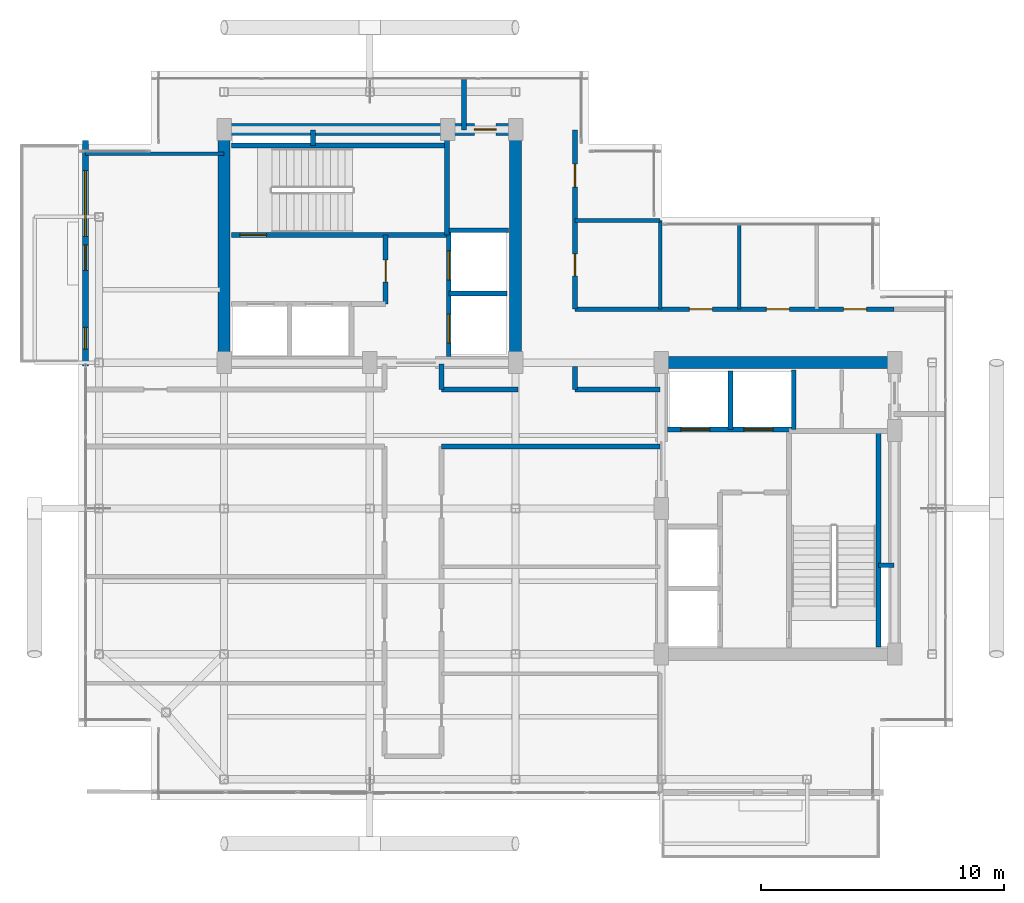
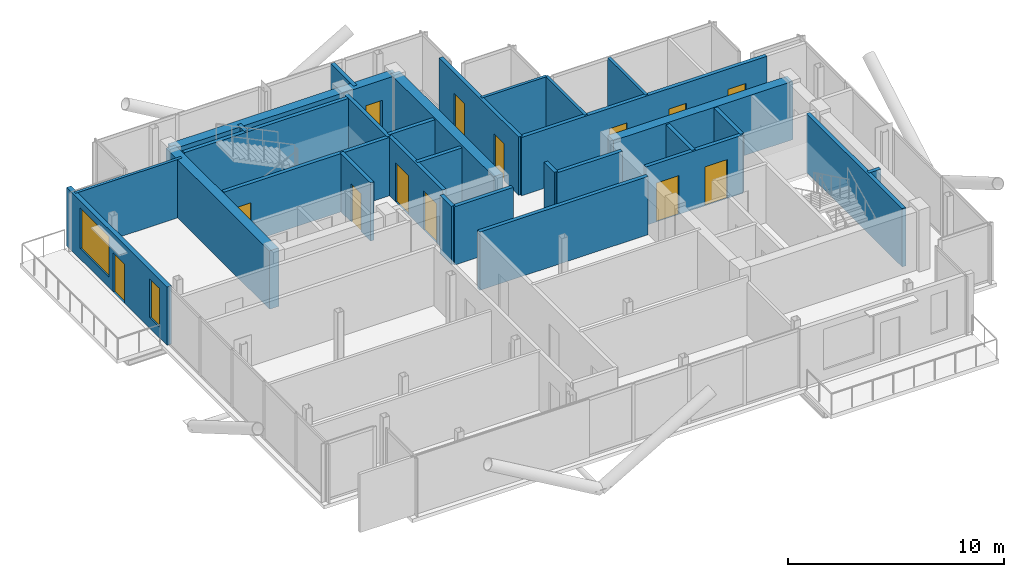
# One storey, part 15 of 18: 30 walls, 13 doors, 2 windows, 15 openings.
"""IFC4 building model written with IfcOpenShell, lengths in metres."""

from ifc_helpers import new_model, si_unit, direction, frame, frame_2d, origin, place, context, subcontext, project, spatial, rectangle, extrude, material, layer, layer_set, type_object, element, fill, save


model = new_model("IFC4")

# Units and contexts
model_context = context("Model", 3, precision=1e-05, world=origin(), true_north=direction((0.0, 1.0)))
body_context = subcontext(model_context, "Body", "Model", "MODEL_VIEW")
ifc_project = project(units=[si_unit("LENGTHUNIT", "METRE"), si_unit("AREAUNIT", "SQUARE_METRE"), si_unit("VOLUMEUNIT", "CUBIC_METRE"), si_unit("PLANEANGLEUNIT", "RADIAN"), si_unit("MASSUNIT", "GRAM", prefix="KILO"), si_unit("THERMODYNAMICTEMPERATUREUNIT", "KELVIN"), si_unit("POWERUNIT", "WATT")], contexts=[model_context])

# Site, building, storey
site_placement = place(None, origin())
site = spatial("IfcSite", under=ifc_project, at=site_placement, CompositionType="ELEMENT")
building_placement = place(site_placement, origin())
building = spatial("IfcBuilding", under=site, at=building_placement, Name="Svarakhadi Broadcast Tower", CompositionType="ELEMENT")
storey_placement = place(building_placement, frame((0.0, 0.0, 274.699951171875)))
storey = spatial("IfcBuildingStorey", under=building, at=storey_placement, Name="L69", CompositionType="ELEMENT", Elevation=274.699951171875)

# Walls
ifc_material_1 = material(Name="Double-Stud Acoustic Studio Partition STC-62", Category="gypsum")
ifc_layer_1 = layer(ifc_material_1, 0.199951171875)
ifc_layer_set_1 = layer_set([ifc_layer_1], Name="Double-Stud Acoustic Studio Partition STC-62")
wall_type_1 = type_object("IfcWallType", Name="Wall_Acoust_200", PredefinedType="PARTITIONING", material=ifc_layer_set_1)
wall_1_placement = place(storey_placement, frame((14.949951171875, 17.949951171875, 0.0), z_axis=(0.0, 0.0, 1.0), x_axis=(0.0, -1.0, 0.0)))
element("IfcWall", 1, at=wall_1_placement, inside=storey, type_object=wall_type_1, Name="L69 Upper Tower Concourse Wall", PredefinedType="PARTITIONING", context=body_context, shape_type="SweptSolid", body=[
    extrude(rectangle(XDim=1.050048828125, YDim=0.199951171875, at=frame_2d((0.52490234375, 0.0))), origin(), (0.0, 0.0, 1.0), 3.300048828125),
])
wall_2_placement = place(storey_placement, frame((14.949951171875, 16.89990234375, 0.0), z_axis=(0.0, 0.0, 1.0), x_axis=(1.0, 0.0, 0.0)))
element("IfcWall", 2, at=wall_2_placement, inside=storey, type_object=wall_type_1, Name="L69 Upper Tower Concourse Wall", PredefinedType="PARTITIONING", context=body_context, shape_type="SweptSolid", body=[
    extrude(rectangle(XDim=3.150146484375, YDim=0.199951171875, at=frame_2d((1.5751953125, 0.0))), origin(), (0.0, 0.0, 1.0), 3.300048828125),
])
wall_3_placement = place(storey_placement, frame((15.8798828125, 27.580078125, 0.0), z_axis=(0.0, 0.0, 1.0), x_axis=(0.0, 1.0, 0.0)))
element("IfcWall", 3, at=wall_3_placement, inside=storey, type_object=wall_type_1, Name="L69 Upper Tower Concourse Wall", PredefinedType="PARTITIONING", context=body_context, shape_type="SweptSolid", body=[
    extrude(rectangle(XDim=2.119873046875, YDim=0.199951171875, at=frame_2d((1.06005859375, 0.0))), origin(), (0.0, 0.0, 1.0), 3.300048828125),
])

# Wall, openings, doors
wall_4_placement = place(storey_placement, frame((20.449951171875, 27.580078125, 0.0), z_axis=(0.0, 0.0, 1.0), x_axis=(0.0, -1.0, 0.0)))
wall_4 = element("IfcWall", 4, at=wall_4_placement, inside=storey, type_object=wall_type_1, Name="L69 Upper Tower Concourse Wall", PredefinedType="PARTITIONING", context=body_context, shape_type="SweptSolid", body=[
    extrude(rectangle(XDim=7.380126953125, YDim=0.199951171875, at=frame_2d((3.68994140625, 0.0))), origin(), (0.0, 0.0, 1.0), 3.300048828125),
])
opening_1_placement = place(wall_4_placement, frame((5.10498046875, 0.0, 0.0)))
opening_1 = element("IfcOpeningElement", 5, at=opening_1_placement, cuts=wall_4, Name="Opening D-12", PredefinedType="OPENING", context=body_context, shape_type="SweptSolid", body=[
    extrude(rectangle(XDim=0.89990234375, YDim=2.10009765625, at=frame_2d((0.449951171875, 1.050048828125))), frame((0.0, 0.10986328125, 0.0), z_axis=(0.0, -1.0, 0.0), x_axis=(1.0, 0.0, 0.0)), (0.0, 0.0, 1.0), 0.219970703125),
])
opening_2_placement = place(wall_4_placement, frame((1.405029296875, 0.0, 0.0)))
opening_2 = element("IfcOpeningElement", 6, at=opening_2_placement, cuts=wall_4, Name="Opening D-07", PredefinedType="OPENING", context=body_context, shape_type="SweptSolid", body=[
    extrude(rectangle(XDim=0.949951171875, YDim=2.14990234375, at=frame_2d((0.47509765625, 1.074951171875))), frame((0.0, 0.10986328125, 0.0), z_axis=(0.0, -1.0, 0.0), x_axis=(1.0, 0.0, 0.0)), (0.0, 0.0, 1.0), 0.219970703125),
])
ifc_material_2 = material(Name="Solid-Core Teak Veneer Acoustic Timber Leaf", Category="wood")
door_type_1 = type_object("IfcDoorType", Name="Door_Office_D07", OperationType="SINGLE_SWING_RIGHT", PredefinedType="DOOR", material=ifc_material_2)
door_1_placement = place(opening_2_placement, origin())
door_1 = element("IfcDoor", 7, at=door_1_placement, inside=storey, type_object=door_type_1, Name="L69 Hotel Butler Service Pantry Door", OperationType="SINGLE_SWING_RIGHT", OverallHeight=2.14990234375, OverallWidth=0.949951171875, PredefinedType="DOOR", context=body_context, shape_type="SweptSolid", body=[
    extrude(rectangle(XDim=0.949951171875, YDim=2.14990234375, at=frame_2d((0.47509765625, 1.074951171875))), frame((0.0, 0.02490234375, 0.0), z_axis=(0.0, -1.0, 0.0), x_axis=(1.0, 0.0, 0.0)), (0.0, 0.0, 1.0), 0.050048828125),
])
fill(opening_2, door_1)
door_type_2 = type_object("IfcDoorType", Name="Door_WC_D01", OperationType="SINGLE_SWING_LEFT", PredefinedType="DOOR", material=ifc_material_2)
door_2_placement = place(opening_1_placement, origin())
door_2 = element("IfcDoor", 8, at=door_2_placement, inside=storey, type_object=door_type_2, Name="L69 Accessible Visitor Washroom WC Door", OperationType="SINGLE_SWING_LEFT", OverallHeight=2.10009765625, OverallWidth=0.89990234375, PredefinedType="DOOR", context=body_context, shape_type="SweptSolid", body=[
    extrude(rectangle(XDim=0.89990234375, YDim=2.10009765625, at=frame_2d((0.449951171875, 1.050048828125))), frame((0.0, 0.02490234375, 0.0), z_axis=(0.0, -1.0, 0.0), x_axis=(1.0, 0.0, 0.0)), (0.0, 0.0, 1.0), 0.050048828125),
])
fill(opening_1, door_2)

wall_5_placement = place(storey_placement, frame((20.449951171875, 20.199951171875, 0.0), z_axis=(0.0, 0.0, 1.0), x_axis=(1.0, 0.0, 0.0)))
wall_5 = element("IfcWall", 9, at=wall_5_placement, inside=storey, type_object=wall_type_1, Name="L69 Upper Tower Concourse Wall", PredefinedType="PARTITIONING", context=body_context, shape_type="SweptSolid", body=[
    extrude(rectangle(XDim=13.130126953125, YDim=0.199951171875, at=frame_2d((6.56494140625, 0.0))), origin(), (0.0, 0.0, 1.0), 3.300048828125),
])
opening_3_placement = place(wall_5_placement, frame((4.699951171875, 0.0, 0.0)))
opening_3 = element("IfcOpeningElement", 10, at=opening_3_placement, cuts=wall_5, Name="Opening D-06", PredefinedType="OPENING", context=body_context, shape_type="SweptSolid", body=[
    extrude(rectangle(XDim=0.949951171875, YDim=2.14990234375, at=frame_2d((0.47509765625, 1.074951171875))), frame((0.0, 0.10986328125, 0.0), z_axis=(0.0, -1.0, 0.0), x_axis=(1.0, 0.0, 0.0)), (0.0, 0.0, 1.0), 0.219970703125),
])
opening_4_placement = place(wall_5_placement, frame((7.875, 0.0, 0.0)))
opening_4 = element("IfcOpeningElement", 11, at=opening_4_placement, cuts=wall_5, Name="Opening D-07", PredefinedType="OPENING", context=body_context, shape_type="SweptSolid", body=[
    extrude(rectangle(XDim=0.949951171875, YDim=2.14990234375, at=frame_2d((0.47509765625, 1.074951171875))), frame((0.0, 0.10986328125, 0.0), z_axis=(0.0, -1.0, 0.0), x_axis=(1.0, 0.0, 0.0)), (0.0, 0.0, 1.0), 0.219970703125),
])
opening_5_placement = place(wall_5_placement, frame((11.050048828125, 0.0, 0.0)))
opening_5 = element("IfcOpeningElement", 12, at=opening_5_placement, cuts=wall_5, Name="Opening D-06", PredefinedType="OPENING", context=body_context, shape_type="SweptSolid", body=[
    extrude(rectangle(XDim=0.949951171875, YDim=2.14990234375, at=frame_2d((0.47509765625, 1.074951171875))), frame((0.0, 0.10986328125, 0.0), z_axis=(0.0, -1.0, 0.0), x_axis=(1.0, 0.0, 0.0)), (0.0, 0.0, 1.0), 0.219970703125),
])
door_type_3 = type_object("IfcDoorType", Name="Door_Office_D06", OperationType="SINGLE_SWING_LEFT", PredefinedType="DOOR", material=ifc_material_2)
door_3_placement = place(opening_3_placement, origin())
door_3 = element("IfcDoor", 13, at=door_3_placement, inside=storey, type_object=door_type_3, Name="L69 Harbour Sky Club Reading Room Door", OperationType="SINGLE_SWING_LEFT", OverallHeight=2.14990234375, OverallWidth=0.949951171875, PredefinedType="DOOR", context=body_context, shape_type="SweptSolid", body=[
    extrude(rectangle(XDim=0.949951171875, YDim=2.14990234375, at=frame_2d((0.47509765625, 1.074951171875))), frame((0.0, 0.02490234375, 0.0), z_axis=(0.0, -1.0, 0.0), x_axis=(1.0, 0.0, 0.0)), (0.0, 0.0, 1.0), 0.050048828125),
])
fill(opening_3, door_3)
door_4_placement = place(opening_5_placement, origin())
door_4 = element("IfcDoor", 14, at=door_4_placement, inside=storey, type_object=door_type_3, Name="L69 VIP Guest Concierge Office Door", OperationType="SINGLE_SWING_LEFT", OverallHeight=2.14990234375, OverallWidth=0.949951171875, PredefinedType="DOOR", context=body_context, shape_type="SweptSolid", body=[
    extrude(rectangle(XDim=0.949951171875, YDim=2.14990234375, at=frame_2d((0.47509765625, 1.074951171875))), frame((0.0, 0.02490234375, 0.0), z_axis=(0.0, -1.0, 0.0), x_axis=(1.0, 0.0, 0.0)), (0.0, 0.0, 1.0), 0.050048828125),
])
fill(opening_5, door_4)
door_5_placement = place(opening_4_placement, origin())
door_5 = element("IfcDoor", 15, at=door_5_placement, inside=storey, type_object=door_type_1, Name="L69 Private Sommelier Tasting Pantry Door", OperationType="SINGLE_SWING_RIGHT", OverallHeight=2.14990234375, OverallWidth=0.949951171875, PredefinedType="DOOR", context=body_context, shape_type="SweptSolid", body=[
    extrude(rectangle(XDim=0.949951171875, YDim=2.14990234375, at=frame_2d((0.47509765625, 1.074951171875))), frame((0.0, 0.02490234375, 0.0), z_axis=(0.0, -1.0, 0.0), x_axis=(1.0, 0.0, 0.0)), (0.0, 0.0, 1.0), 0.050048828125),
])
fill(opening_4, door_5)

# Walls
wall_6_placement = place(storey_placement, frame((20.449951171875, 17.85009765625, 0.0), z_axis=(0.0, 0.0, 1.0), x_axis=(0.0, -1.0, 0.0)))
element("IfcWall", 16, at=wall_6_placement, inside=storey, type_object=wall_type_1, Name="L69 Upper Tower Concourse Wall", PredefinedType="PARTITIONING", context=body_context, shape_type="SweptSolid", body=[
    extrude(rectangle(XDim=0.9501953125, YDim=0.199951171875, at=frame_2d((0.47509765625, 0.0))), origin(), (0.0, 0.0, 1.0), 3.300048828125),
])
wall_7_placement = place(storey_placement, frame((20.449951171875, 16.89990234375, 0.0), z_axis=(0.0, 0.0, 1.0), x_axis=(1.0, 0.0, 0.0)))
element("IfcWall", 17, at=wall_7_placement, inside=storey, type_object=wall_type_1, Name="L69 Upper Tower Concourse Wall", PredefinedType="PARTITIONING", context=body_context, shape_type="SweptSolid", body=[
    extrude(rectangle(XDim=3.5, YDim=0.199951171875, at=frame_2d((1.75, 0.0))), origin(), (0.0, 0.0, 1.0), 3.300048828125),
])
wall_8_placement = place(storey_placement, frame((23.949951171875, 14.550048828125, 0.0), z_axis=(0.0, 0.0, 1.0), x_axis=(-1.0, 0.0, 0.0)))
element("IfcWall", 18, at=wall_8_placement, inside=storey, type_object=wall_type_1, Name="L69 Upper Tower Concourse Wall", PredefinedType="PARTITIONING", context=body_context, shape_type="SweptSolid", body=[
    extrude(rectangle(XDim=9.0, YDim=0.199951171875, at=frame_2d((4.5, 0.0))), origin(), (0.0, 0.0, 1.0), 3.300048828125),
])

# Wall, openings, door, windows
ifc_material_3 = material(Name="Concrete C40/50 (IS 456 M50)", Category="concrete")
ifc_layer_2 = layer(ifc_material_3, 0.239990234375)
ifc_layer_set_2 = layer_set([ifc_layer_2], Name="Concrete C40/50 (IS 456 M50)")
wall_type_2 = type_object("IfcWallType", Name="Wall_Ext_240", PredefinedType="SOLIDWALL", material=ifc_layer_set_2)
wall_9_placement = place(storey_placement, frame((0.300048828125, 17.85498046875, 0.0), z_axis=(0.0, 0.0, 1.0), x_axis=(0.0, 1.0, 0.0)))
wall_9 = element("IfcWall", 19, at=wall_9_placement, inside=storey, type_object=wall_type_2, Name="L69 West Tree Balcony Spandrel Wall", PredefinedType="SOLIDWALL", context=body_context, shape_type="SweptSolid", body=[
    extrude(rectangle(XDim=9.2900390625, YDim=0.239990234375, at=frame_2d((4.64501953125, 0.0))), origin(), (0.0, 0.0, 1.0), 3.300048828125),
])
opening_6_placement = place(wall_9_placement, frame((3.945068359375, 0.0, 0.0)))
opening_6 = element("IfcOpeningElement", 20, at=opening_6_placement, cuts=wall_9, Name="Opening ED-06", PredefinedType="OPENING", context=body_context, shape_type="SweptSolid", body=[
    extrude(rectangle(XDim=1.050048828125, YDim=2.199951171875, at=frame_2d((0.52490234375, 1.10009765625))), frame((0.0, 0.1298828125, 0.0), z_axis=(0.0, -1.0, 0.0), x_axis=(1.0, 0.0, 0.0)), (0.0, 0.0, 1.0), 0.260009765625),
])
opening_7_placement = place(wall_9_placement, frame((5.344970703125, 0.0, 0.60009765625)))
opening_7 = element("IfcOpeningElement", 21, at=opening_7_placement, cuts=wall_9, Name="Opening WN-07", PredefinedType="OPENING", context=body_context, shape_type="SweptSolid", body=[
    extrude(rectangle(XDim=2.699951171875, YDim=2.300048828125, at=frame_2d((1.35009765625, 1.14990234375))), frame((0.0, 0.1298828125, 0.0), z_axis=(0.0, -1.0, 0.0), x_axis=(1.0, 0.0, 0.0)), (0.0, 0.0, 1.0), 0.260009765625),
])
opening_8_placement = place(wall_9_placement, frame((0.699951171875, 0.0, 0.60009765625)))
opening_8 = element("IfcOpeningElement", 22, at=opening_8_placement, cuts=wall_9, Name="Opening WN-04", PredefinedType="OPENING", context=body_context, shape_type="SweptSolid", body=[
    extrude(rectangle(XDim=0.89990234375, YDim=2.199951171875, at=frame_2d((0.449951171875, 1.10009765625))), frame((0.0, 0.1298828125, 0.0), z_axis=(0.0, -1.0, 0.0), x_axis=(1.0, 0.0, 0.0)), (0.0, 0.0, 1.0), 0.260009765625),
])
ifc_material_4 = material(Name="Anodised Bronze Aluminium AA 6063-T6", Category="aluminium")
door_type_4 = type_object("IfcDoorType", Name="Door_Ext_ED06", OperationType="SINGLE_SWING_RIGHT", PredefinedType="DOOR", material=ifc_material_4)
door_6_placement = place(opening_6_placement, origin())
door_6 = element("IfcDoor", 23, at=door_6_placement, inside=storey, type_object=door_type_4, Name="L69 West Tree Balcony Door", OperationType="SINGLE_SWING_RIGHT", OverallHeight=2.199951171875, OverallWidth=1.050048828125, PredefinedType="DOOR", context=body_context, shape_type="SweptSolid", body=[
    extrude(rectangle(XDim=1.050048828125, YDim=2.199951171875, at=frame_2d((0.52490234375, 1.10009765625))), frame((0.0, 0.02490234375, 0.0), z_axis=(0.0, -1.0, 0.0), x_axis=(1.0, 0.0, 0.0)), (0.0, 0.0, 1.0), 0.050048828125),
])
fill(opening_6, door_6)
ifc_material_5 = material(Name="Double Low-E Laminated Acoustic Glass IGU 36 mm", Category="glass")
window_type_1 = type_object("IfcWindowType", Name="Win_Resi_WN07", PartitioningType="SINGLE_PANEL", PredefinedType="WINDOW", material=ifc_material_5)
window_1_placement = place(opening_7_placement, origin())
window_1 = element("IfcWindow", 24, at=window_1_placement, inside=storey, type_object=window_type_1, Name="L69 West Tree Balcony Window", OverallHeight=2.300048828125, OverallWidth=2.699951171875, PartitioningType="SINGLE_PANEL", PredefinedType="WINDOW", context=body_context, shape_type="SweptSolid", body=[
    extrude(rectangle(XDim=2.699951171875, YDim=2.300048828125, at=frame_2d((1.35009765625, 1.14990234375))), frame((0.0, 0.030029296875, 0.0), z_axis=(0.0, -1.0, 0.0), x_axis=(1.0, 0.0, 0.0)), (0.0, 0.0, 1.0), 0.06005859375),
])
fill(opening_7, window_1)
window_type_2 = type_object("IfcWindowType", Name="Win_Slot_WN04", PartitioningType="SINGLE_PANEL", PredefinedType="WINDOW", material=ifc_material_5)
window_2_placement = place(opening_8_placement, origin())
window_2 = element("IfcWindow", 25, at=window_2_placement, inside=storey, type_object=window_type_2, Name="L69 West Secondary Bedroom Slot Window", OverallHeight=2.199951171875, OverallWidth=0.89990234375, PartitioningType="SINGLE_PANEL", PredefinedType="WINDOW", context=body_context, shape_type="SweptSolid", body=[
    extrude(rectangle(XDim=0.89990234375, YDim=2.199951171875, at=frame_2d((0.449951171875, 1.10009765625))), frame((0.0, 0.030029296875, 0.0), z_axis=(0.0, -1.0, 0.0), x_axis=(1.0, 0.0, 0.0)), (0.0, 0.0, 1.0), 0.06005859375),
])
fill(opening_8, window_2)

# Walls
ifc_layer_3 = layer(ifc_material_3, 0.199951171875)
ifc_layer_set_3 = layer_set([ifc_layer_3], Name="Concrete C40/50 (IS 456 M50)")
wall_type_3 = type_object("IfcWallType", Name="Wall_Fire_200", PredefinedType="SOLIDWALL", material=ifc_layer_set_3)
for number, where, z_axis, x_axis, name in (
    (26, (9.659912109375, 26.93994140625, 0.0), (0.0, 0.0, 1.0), (0.0, 1.0, 0.0), "L69 Wet Riser Shaft East Wall"),
    (27, (32.93994140625, 9.659912109375, 0.0), (0.0, 0.0, 1.0), (1.0, 0.0, 0.0), "L69 HV Busduct Riser Shaft North Wall"),
):
    element("IfcWall", number, at=place(storey_placement, frame(where, z_axis=z_axis, x_axis=x_axis)), inside=storey, type_object=wall_type_3, Name=name, PredefinedType="SOLIDWALL", context=body_context, shape_type="SweptSolid", body=[
        extrude(rectangle(XDim=0.64013671875, YDim=0.199951171875, at=frame_2d((0.320068359375, 0.0))), origin(), (0.0, 0.0, 1.0), 3.300048828125),
    ])
ifc_material_6 = material(Name="Autoclaved Aerated Concrete Blockwork 150 mm", Category="masonry")
ifc_layer_4 = layer(ifc_material_6, 0.14990234375)
ifc_layer_set_4 = layer_set([ifc_layer_4], Name="Autoclaved Aerated Concrete Blockwork 150 mm")
wall_type_4 = type_object("IfcWallType", Name="Wall_Part_150", PredefinedType="PARTITIONING", material=ifc_layer_set_4)
wall_10_placement = place(storey_placement, frame((20.449951171875, 23.85009765625, 0.0), z_axis=(0.0, 0.0, 1.0), x_axis=(1.0, 0.0, 0.0)))
element("IfcWall", 28, at=wall_10_placement, inside=storey, type_object=wall_type_4, Name="L69 Accessible Visitor Washroom WC Wall", PredefinedType="PARTITIONING", context=body_context, shape_type="SweptSolid", body=[
    extrude(rectangle(XDim=3.5, YDim=0.14990234375, at=frame_2d((1.75, 0.0))), origin(), (0.0, 0.0, 1.0), 3.300048828125),
])
wall_11_placement = place(storey_placement, frame((23.949951171875, 20.199951171875, 0.0), z_axis=(0.0, 0.0, 1.0), x_axis=(0.0, 1.0, 0.0)))
element("IfcWall", 29, at=wall_11_placement, inside=storey, type_object=wall_type_4, Name="L69 Accessible Visitor Washroom WC Wall", PredefinedType="PARTITIONING", context=body_context, shape_type="SweptSolid", body=[
    extrude(rectangle(XDim=3.650146484375, YDim=0.14990234375, at=frame_2d((1.8251953125, 0.0))), origin(), (0.0, 0.0, 1.0), 3.300048828125),
])
wall_12_placement = place(storey_placement, frame((27.199951171875, 20.199951171875, 0.0), z_axis=(0.0, 0.0, 1.0), x_axis=(0.0, 1.0, 0.0)))
element("IfcWall", 30, at=wall_12_placement, inside=storey, type_object=wall_type_4, Name="L69 Harbour Sky Club Reading Room Wall", PredefinedType="PARTITIONING", context=body_context, shape_type="SweptSolid", body=[
    extrude(rectangle(XDim=3.5, YDim=0.14990234375, at=frame_2d((1.75, 0.0))), origin(), (0.0, 0.0, 1.0), 3.300048828125),
])
wall_13_placement = place(storey_placement, frame((0.300048828125, 26.60009765625, 0.0), z_axis=(0.0, 0.0, 1.0), x_axis=(1.0, 0.0, 0.0)))
element("IfcWall", 31, at=wall_13_placement, inside=storey, type_object=wall_type_4, Name="L69 Sky Library Reading Salon Wall", PredefinedType="PARTITIONING", context=body_context, shape_type="SweptSolid", body=[
    extrude(rectangle(XDim=5.699951171875, YDim=0.14990234375, at=frame_2d((2.85009765625, 0.0))), origin(), (0.0, 0.0, 1.0), 3.300048828125),
])

# Wall, opening, door
ifc_material_7 = material(Name="Concrete C50/60 (IS 456 M60)", Category="concrete")
ifc_layer_5 = layer(ifc_material_7, 0.199951171875)
ifc_layer_set_5 = layer_set([ifc_layer_5], Name="Concrete C50/60 (IS 456 M60)")
wall_type_5 = type_object("IfcWallType", Name="Wall_Shear_200", PredefinedType="SHEAR", material=ifc_layer_set_5)
wall_14_placement = place(storey_placement, frame((6.300048828125, 23.260009765625, 0.0), z_axis=(0.0, 0.0, 1.0), x_axis=(1.0, 0.0, 0.0)))
wall_14 = element("IfcWall", 32, at=wall_14_placement, inside=storey, type_object=wall_type_5, Name="L69 Stair ST-01 South RC Shaft Wall", PredefinedType="SHEAR", context=body_context, shape_type="SweptSolid", body=[
    extrude(rectangle(XDim=8.8798828125, YDim=0.199951171875, at=frame_2d((4.43994140625, 0.0))), origin(), (0.0, 0.0, 1.0), 3.300048828125),
])
opening_9_placement = place(wall_14_placement, frame((0.35009765625, 0.0, 0.0)))
opening_9 = element("IfcOpeningElement", 33, at=opening_9_placement, cuts=wall_14, Name="Opening D-01", PredefinedType="OPENING", context=body_context, shape_type="SweptSolid", body=[
    extrude(rectangle(XDim=1.10009765625, YDim=2.199951171875, at=frame_2d((0.550048828125, 1.10009765625))), frame((0.0, 0.10986328125, 0.0), z_axis=(0.0, -1.0, 0.0), x_axis=(1.0, 0.0, 0.0)), (0.0, 0.0, 1.0), 0.219970703125),
])
ifc_material_8 = material(Name="Galvanised Powder-Coated Fire-Rated Steel Leaf", Category="steel")
door_type_5 = type_object("IfcDoorType", Name="Door_Stair_D01", OperationType="SINGLE_SWING_LEFT", PredefinedType="DOOR", material=ifc_material_8)
door_7_placement = place(opening_9_placement, origin())
door_7 = element("IfcDoor", 34, at=door_7_placement, inside=storey, type_object=door_type_5, Name="L69 Protected Exit Stair ST-01 Fire Door", OperationType="SINGLE_SWING_LEFT", OverallHeight=2.199951171875, OverallWidth=1.10009765625, PredefinedType="DOOR", context=body_context, shape_type="SweptSolid", body=[
    extrude(rectangle(XDim=1.10009765625, YDim=2.199951171875, at=frame_2d((0.550048828125, 1.10009765625))), frame((0.0, 0.02490234375, 0.0), z_axis=(0.0, -1.0, 0.0), x_axis=(1.0, 0.0, 0.0)), (0.0, 0.0, 1.0), 0.050048828125),
])
fill(opening_9, door_7)

# Walls
wall_15_placement = place(storey_placement, frame((6.300048828125, 26.93994140625, 0.0), z_axis=(0.0, 0.0, 1.0), x_axis=(1.0, 0.0, 0.0)))
element("IfcWall", 35, at=wall_15_placement, inside=storey, type_object=wall_type_5, Name="L69 Stair ST-01 North RC Shaft Wall", PredefinedType="SHEAR", context=body_context, shape_type="SweptSolid", body=[
    extrude(rectangle(XDim=8.8798828125, YDim=0.199951171875, at=frame_2d((4.43994140625, 0.0))), origin(), (0.0, 0.0, 1.0), 3.300048828125),
])
wall_16_placement = place(storey_placement, frame((15.179931640625, 23.260009765625, 0.0), z_axis=(0.0, 0.0, 1.0), x_axis=(0.0, 1.0, 0.0)))
element("IfcWall", 36, at=wall_16_placement, inside=storey, type_object=wall_type_5, Name="L69 Stair ST-01 East RC Shaft Wall", PredefinedType="SHEAR", context=body_context, shape_type="SweptSolid", body=[
    extrude(rectangle(XDim=4.0400390625, YDim=0.199951171875, at=frame_2d((2.02001953125, 0.0))), origin(), (0.0, 0.0, 1.0), 3.300048828125),
])
wall_17_placement = place(storey_placement, frame((32.93994140625, 6.300048828125, 0.0), z_axis=(0.0, 0.0, 1.0), x_axis=(0.0, 1.0, 0.0)))
element("IfcWall", 37, at=wall_17_placement, inside=storey, type_object=wall_type_5, Name="L69 Stair ST-02 East RC Shaft Wall", PredefinedType="SHEAR", context=body_context, shape_type="SweptSolid", body=[
    extrude(rectangle(XDim=8.8798828125, YDim=0.199951171875, at=frame_2d((4.43994140625, 0.0))), origin(), (0.0, 0.0, 1.0), 3.300048828125),
])

# Wall, opening, door
wall_18_placement = place(storey_placement, frame((12.64990234375, 20.419921875, 0.0), z_axis=(0.0, 0.0, 1.0), x_axis=(0.0, 1.0, 0.0)))
wall_18 = element("IfcWall", 38, at=wall_18_placement, inside=storey, type_object=wall_type_5, Name="L69 West Firefighting Lobby East Wall", PredefinedType="SHEAR", context=body_context, shape_type="SweptSolid", body=[
    extrude(rectangle(XDim=2.840087890625, YDim=0.199951171875, at=frame_2d((1.419921875, 0.0))), origin(), (0.0, 0.0, 1.0), 3.300048828125),
])
opening_10_placement = place(wall_18_placement, frame((0.89990234375, 0.0, 0.0)))
opening_10 = element("IfcOpeningElement", 39, at=opening_10_placement, cuts=wall_18, Name="Opening D-04", PredefinedType="OPENING", context=body_context, shape_type="SweptSolid", body=[
    extrude(rectangle(XDim=0.89990234375, YDim=2.14990234375, at=frame_2d((0.449951171875, 1.074951171875))), frame((0.0, 0.10986328125, 0.0), z_axis=(0.0, -1.0, 0.0), x_axis=(1.0, 0.0, 0.0)), (0.0, 0.0, 1.0), 0.219970703125),
])
door_type_6 = type_object("IfcDoorType", Name="Door_Fire_D04", OperationType="SINGLE_SWING_RIGHT", PredefinedType="DOOR", material=ifc_material_8)
door_8_placement = place(opening_10_placement, origin())
door_8 = element("IfcDoor", 40, at=door_8_placement, inside=storey, type_object=door_type_6, Name="L69 West Firefighting Lobby Fire Door", OperationType="SINGLE_SWING_RIGHT", OverallHeight=2.14990234375, OverallWidth=0.89990234375, PredefinedType="DOOR", context=body_context, shape_type="SweptSolid", body=[
    extrude(rectangle(XDim=0.89990234375, YDim=2.14990234375, at=frame_2d((0.449951171875, 1.074951171875))), frame((0.0, 0.02490234375, 0.0), z_axis=(0.0, -1.0, 0.0), x_axis=(1.0, 0.0, 0.0)), (0.0, 0.0, 1.0), 0.050048828125),
])
fill(opening_10, door_8)

# Wall, openings, doors
wall_19_placement = place(storey_placement, frame((15.25, 18.25, 0.0), z_axis=(0.0, 0.0, 1.0), x_axis=(0.0, 1.0, 0.0)))
wall_19 = element("IfcWall", 41, at=wall_19_placement, inside=storey, type_object=wall_type_5, Name="L69 High-Rise Lift LF-13/14 West Shaft Wall", PredefinedType="SHEAR", context=body_context, shape_type="SweptSolid", body=[
    extrude(rectangle(XDim=5.199951171875, YDim=0.199951171875, at=frame_2d((2.60009765625, 0.0))), origin(), (0.0, 0.0, 1.0), 3.300048828125),
])
opening_11_placement = place(wall_19_placement, frame((0.550048828125, 0.0, 0.0)))
opening_11 = element("IfcOpeningElement", 42, at=opening_11_placement, cuts=wall_19, Name="Opening LD-02", PredefinedType="OPENING", context=body_context, shape_type="SweptSolid", body=[
    extrude(rectangle(XDim=1.199951171875, YDim=2.199951171875, at=frame_2d((0.60009765625, 1.10009765625))), frame((0.0, 0.10986328125, 0.0), z_axis=(0.0, -1.0, 0.0), x_axis=(1.0, 0.0, 0.0)), (0.0, 0.0, 1.0), 0.219970703125),
])
opening_12_placement = place(wall_19_placement, frame((3.14990234375, 0.0, 0.0)))
opening_12 = element("IfcOpeningElement", 43, at=opening_12_placement, cuts=wall_19, Name="Opening LD-02", PredefinedType="OPENING", context=body_context, shape_type="SweptSolid", body=[
    extrude(rectangle(XDim=1.199951171875, YDim=2.199951171875, at=frame_2d((0.60009765625, 1.10009765625))), frame((0.0, 0.10986328125, 0.0), z_axis=(0.0, -1.0, 0.0), x_axis=(1.0, 0.0, 0.0)), (0.0, 0.0, 1.0), 0.219970703125),
])
door_type_7 = type_object("IfcDoorType", Name="Door_Lift_LD02", OperationType="SLIDING_TO_RIGHT", PredefinedType="DOOR", material=ifc_material_8)
door_9_placement = place(opening_11_placement, origin())
door_9 = element("IfcDoor", 44, at=door_9_placement, inside=storey, type_object=door_type_7, Name="L69 High-Rise Lift LF-13 Landing Door", OperationType="SLIDING_TO_RIGHT", OverallHeight=2.199951171875, OverallWidth=1.199951171875, PredefinedType="DOOR", context=body_context, shape_type="SweptSolid", body=[
    extrude(rectangle(XDim=1.199951171875, YDim=2.199951171875, at=frame_2d((0.60009765625, 1.10009765625))), frame((0.0, 0.02490234375, 0.0), z_axis=(0.0, -1.0, 0.0), x_axis=(1.0, 0.0, 0.0)), (0.0, 0.0, 1.0), 0.050048828125),
])
fill(opening_11, door_9)
door_10_placement = place(opening_12_placement, origin())
door_10 = element("IfcDoor", 45, at=door_10_placement, inside=storey, type_object=door_type_7, Name="L69 High-Rise Lift LF-14 Landing Door", OperationType="SLIDING_TO_RIGHT", OverallHeight=2.199951171875, OverallWidth=1.199951171875, PredefinedType="DOOR", context=body_context, shape_type="SweptSolid", body=[
    extrude(rectangle(XDim=1.199951171875, YDim=2.199951171875, at=frame_2d((0.60009765625, 1.10009765625))), frame((0.0, 0.02490234375, 0.0), z_axis=(0.0, -1.0, 0.0), x_axis=(1.0, 0.0, 0.0)), (0.0, 0.0, 1.0), 0.050048828125),
])
fill(opening_12, door_10)

# Walls
wall_20_placement = place(storey_placement, frame((15.25, 20.85009765625, 0.0), z_axis=(0.0, 0.0, 1.0), x_axis=(1.0, 0.0, 0.0)))
element("IfcWall", 46, at=wall_20_placement, inside=storey, type_object=wall_type_5, Name="L69 High-Rise Lift LF-13/14 Divider", PredefinedType="SHEAR", context=body_context, shape_type="SweptSolid", body=[
    extrude(rectangle(XDim=2.39990234375, YDim=0.199951171875, at=frame_2d((1.199951171875, 0.0))), origin(), (0.0, 0.0, 1.0), 3.300048828125),
])
wall_21_placement = place(storey_placement, frame((15.25, 23.449951171875, 0.0), z_axis=(0.0, 0.0, 1.0), x_axis=(1.0, 0.0, 0.0)))
element("IfcWall", 47, at=wall_21_placement, inside=storey, type_object=wall_type_5, Name="L69 High-Rise Lift LF-13/14 North Wall", PredefinedType="SHEAR", context=body_context, shape_type="SweptSolid", body=[
    extrude(rectangle(XDim=2.449951171875, YDim=0.199951171875, at=frame_2d((1.22509765625, 0.0))), origin(), (0.0, 0.0, 1.0), 3.300048828125),
])

# Wall, openings, doors
wall_22_placement = place(storey_placement, frame((24.25, 15.25, 0.0), z_axis=(0.0, 0.0, 1.0), x_axis=(1.0, 0.0, 0.0)))
wall_22 = element("IfcWall", 48, at=wall_22_placement, inside=storey, type_object=wall_type_5, Name="L69 High-Rise Lift LF-15/16 South Shaft Wall", PredefinedType="SHEAR", context=body_context, shape_type="SweptSolid", body=[
    extrude(rectangle(XDim=5.199951171875, YDim=0.199951171875, at=frame_2d((2.60009765625, 0.0))), origin(), (0.0, 0.0, 1.0), 3.300048828125),
])
opening_13_placement = place(wall_22_placement, frame((0.550048828125, 0.0, 0.0)))
opening_13 = element("IfcOpeningElement", 49, at=opening_13_placement, cuts=wall_22, Name="Opening LD-02", PredefinedType="OPENING", context=body_context, shape_type="SweptSolid", body=[
    extrude(rectangle(XDim=1.199951171875, YDim=2.199951171875, at=frame_2d((0.60009765625, 1.10009765625))), frame((0.0, 0.10986328125, 0.0), z_axis=(0.0, -1.0, 0.0), x_axis=(1.0, 0.0, 0.0)), (0.0, 0.0, 1.0), 0.219970703125),
])
opening_14_placement = place(wall_22_placement, frame((3.14990234375, 0.0, 0.0)))
opening_14 = element("IfcOpeningElement", 50, at=opening_14_placement, cuts=wall_22, Name="Opening LD-02", PredefinedType="OPENING", context=body_context, shape_type="SweptSolid", body=[
    extrude(rectangle(XDim=1.199951171875, YDim=2.199951171875, at=frame_2d((0.60009765625, 1.10009765625))), frame((0.0, 0.10986328125, 0.0), z_axis=(0.0, -1.0, 0.0), x_axis=(1.0, 0.0, 0.0)), (0.0, 0.0, 1.0), 0.219970703125),
])
door_11_placement = place(opening_13_placement, origin())
door_11 = element("IfcDoor", 51, at=door_11_placement, inside=storey, type_object=door_type_7, Name="L69 High-Rise Lift LF-15 Landing Door", OperationType="SLIDING_TO_RIGHT", OverallHeight=2.199951171875, OverallWidth=1.199951171875, PredefinedType="DOOR", context=body_context, shape_type="SweptSolid", body=[
    extrude(rectangle(XDim=1.199951171875, YDim=2.199951171875, at=frame_2d((0.60009765625, 1.10009765625))), frame((0.0, 0.02490234375, 0.0), z_axis=(0.0, -1.0, 0.0), x_axis=(1.0, 0.0, 0.0)), (0.0, 0.0, 1.0), 0.050048828125),
])
fill(opening_13, door_11)
door_12_placement = place(opening_14_placement, origin())
door_12 = element("IfcDoor", 52, at=door_12_placement, inside=storey, type_object=door_type_7, Name="L69 High-Rise Lift LF-16 Landing Door", OperationType="SLIDING_TO_RIGHT", OverallHeight=2.199951171875, OverallWidth=1.199951171875, PredefinedType="DOOR", context=body_context, shape_type="SweptSolid", body=[
    extrude(rectangle(XDim=1.199951171875, YDim=2.199951171875, at=frame_2d((0.60009765625, 1.10009765625))), frame((0.0, 0.02490234375, 0.0), z_axis=(0.0, -1.0, 0.0), x_axis=(1.0, 0.0, 0.0)), (0.0, 0.0, 1.0), 0.050048828125),
])
fill(opening_14, door_12)

# Walls
wall_23_placement = place(storey_placement, frame((26.85009765625, 15.25, 0.0), z_axis=(0.0, 0.0, 1.0), x_axis=(0.0, 1.0, 0.0)))
element("IfcWall", 53, at=wall_23_placement, inside=storey, type_object=wall_type_5, Name="L69 High-Rise Lift LF-15/16 Divider", PredefinedType="SHEAR", context=body_context, shape_type="SweptSolid", body=[
    extrude(rectangle(XDim=2.39990234375, YDim=0.199951171875, at=frame_2d((1.199951171875, 0.0))), origin(), (0.0, 0.0, 1.0), 3.300048828125),
])
wall_24_placement = place(storey_placement, frame((29.449951171875, 15.25, 0.0), z_axis=(0.0, 0.0, 1.0), x_axis=(0.0, 1.0, 0.0)))
element("IfcWall", 54, at=wall_24_placement, inside=storey, type_object=wall_type_5, Name="L69 High-Rise Lift LF-15/16 East Wall", PredefinedType="SHEAR", context=body_context, shape_type="SweptSolid", body=[
    extrude(rectangle(XDim=2.449951171875, YDim=0.199951171875, at=frame_2d((1.22509765625, 0.0))), origin(), (0.0, 0.0, 1.0), 3.300048828125),
])

# Wall, opening, door
ifc_layer_6 = layer(ifc_material_7, 0.5)
ifc_layer_set_6 = layer_set([ifc_layer_6], Name="Concrete C50/60 (IS 456 M60)")
wall_type_6 = type_object("IfcWallType", Name="Wall_Shear_500", PredefinedType="SHEAR", material=ifc_layer_set_6)
wall_25_placement = place(storey_placement, frame((6.0, 27.60009765625, 0.0), z_axis=(0.0, 0.0, 1.0), x_axis=(1.0, 0.0, 0.0)))
wall_25 = element("IfcWall", 55, at=wall_25_placement, inside=storey, type_object=wall_type_6, Name="L69 West Core North Shear Wall", PredefinedType="SHEAR", context=body_context, shape_type="SweptSolid", body=[
    extrude(rectangle(XDim=12.0, YDim=0.5, at=frame_2d((6.0, 0.0))), origin(), (0.0, 0.0, 1.0), 3.300048828125),
])
opening_15_placement = place(wall_25_placement, frame((10.300048828125, 0.0, 0.0)))
opening_15 = element("IfcOpeningElement", 56, at=opening_15_placement, cuts=wall_25, Name="Opening D-03", PredefinedType="OPENING", context=body_context, shape_type="SweptSolid", body=[
    extrude(rectangle(XDim=0.89990234375, YDim=2.14990234375, at=frame_2d((0.449951171875, 1.074951171875))), frame((0.0, 0.260009765625, 0.0), z_axis=(0.0, -1.0, 0.0), x_axis=(1.0, 0.0, 0.0)), (0.0, 0.0, 1.0), 0.52001953125),
])
door_type_8 = type_object("IfcDoorType", Name="Door_Fire_D03", OperationType="SINGLE_SWING_LEFT", PredefinedType="DOOR", material=ifc_material_8)
door_13_placement = place(opening_15_placement, origin())
door_13 = element("IfcDoor", 57, at=door_13_placement, inside=storey, type_object=door_type_8, Name="L69 Core Meter Cupboard Door", OperationType="SINGLE_SWING_LEFT", OverallHeight=2.14990234375, OverallWidth=0.89990234375, PredefinedType="DOOR", context=body_context, shape_type="SweptSolid", body=[
    extrude(rectangle(XDim=0.89990234375, YDim=2.14990234375, at=frame_2d((0.449951171875, 1.074951171875))), frame((0.0, 0.02490234375, 0.0), z_axis=(0.0, -1.0, 0.0), x_axis=(1.0, 0.0, 0.0)), (0.0, 0.0, 1.0), 0.050048828125),
])
fill(opening_15, door_13)

# Walls
for number, where, z_axis, x_axis, name in (
    (58, (6.0, 18.0, 0.0), (0.0, 0.0, 1.0), (0.0, 1.0, 0.0), "L69 West Core West Shear Wall"),
    (59, (18.0, 18.0, 0.0), (0.0, 0.0, 1.0), (0.0, 1.0, 0.0), "L69 West Core East Shear Wall"),
    (60, (24.0, 18.0, 0.0), (0.0, 0.0, 1.0), (1.0, 0.0, 0.0), "L69 East Core North Shear Wall"),
):
    element("IfcWall", number, at=place(storey_placement, frame(where, z_axis=z_axis, x_axis=x_axis)), inside=storey, type_object=wall_type_6, Name=name, PredefinedType="SHEAR", context=body_context, shape_type="SweptSolid", body=[
        extrude(rectangle(XDim=9.60009765625, YDim=0.5, at=frame_2d((4.800048828125, 0.0))), origin(), (0.0, 0.0, 1.0), 3.300048828125),
    ])

save(model, "model.ifc")
